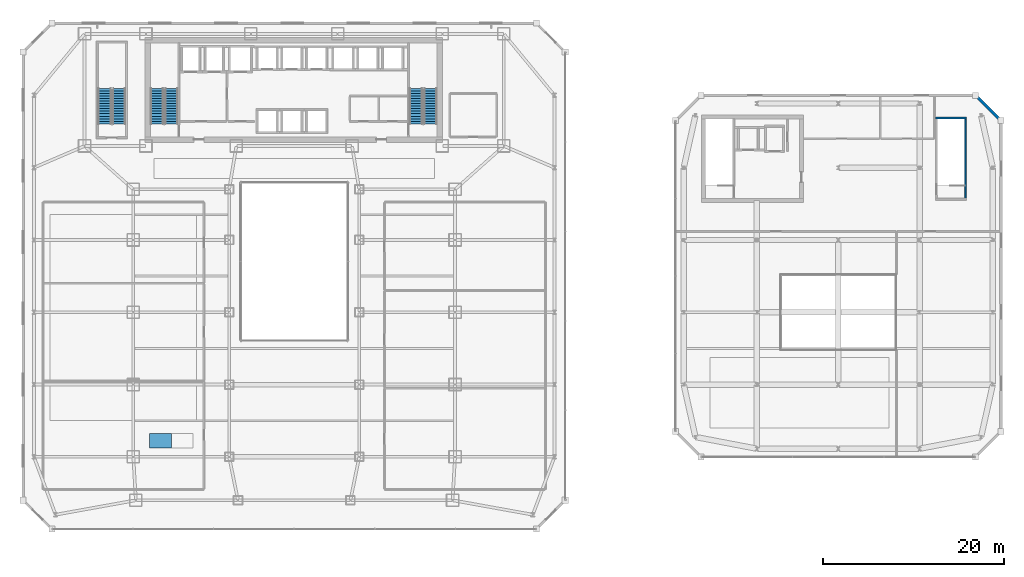
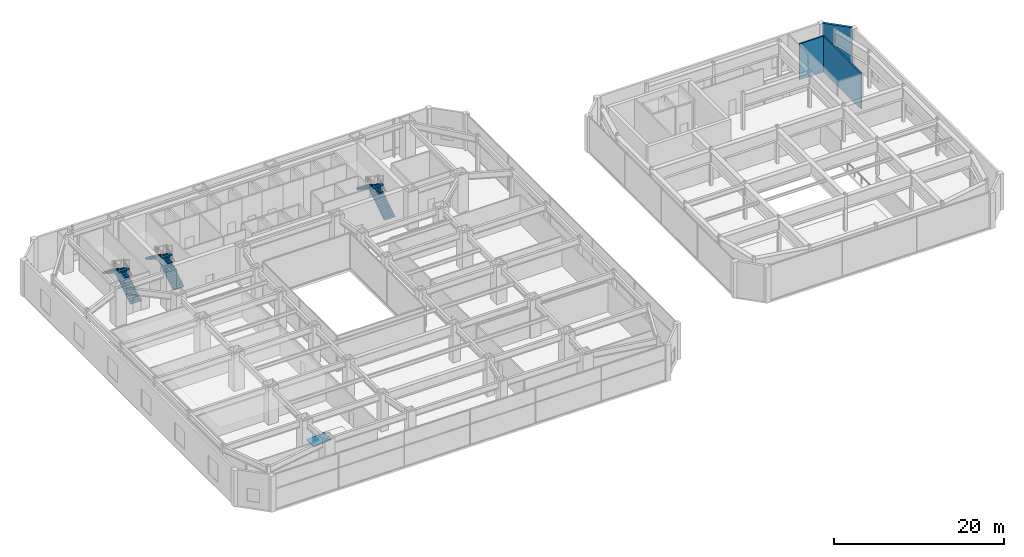
# One storey, part 47 of 53: 6 stair flights, 3 walls, 1 ramp flight, 4 elements without a shape of their own.
"""IFC4 building model written with IfcOpenShell, lengths in metres."""

from ifc_helpers import new_model, si_unit, direction, frame, frame_2d, origin, place, context, subcontext, project, spatial, polyline, rectangle, outline, extrude, material, layer, layer_set, type_object, element, aggregate, save


model = new_model("IFC4")

# Units and contexts
model_context = context("Model", 3, precision=1e-05, world=origin(), true_north=direction((0.0, 1.0)))
body_context = subcontext(model_context, "Body", "Model", "MODEL_VIEW")
ifc_project = project(units=[si_unit("LENGTHUNIT", "METRE"), si_unit("AREAUNIT", "SQUARE_METRE"), si_unit("VOLUMEUNIT", "CUBIC_METRE"), si_unit("PLANEANGLEUNIT", "RADIAN"), si_unit("MASSUNIT", "GRAM", prefix="KILO")], contexts=[model_context])

# Site, building, storey
site_placement = place(None, origin())
site = spatial("IfcSite", under=ifc_project, at=site_placement, CompositionType="ELEMENT")
building_placement = place(site_placement, origin())
building = spatial("IfcBuilding", under=site, at=building_placement, Name="Saevonmaru Cultural Tower", CompositionType="ELEMENT")
storey_placement = place(building_placement, frame((0.0, 0.0, 22.199951171875)))
storey = spatial("IfcBuildingStorey", under=building, at=storey_placement, Name="L04", CompositionType="ELEMENT", Elevation=22.199951171875)

# Walls
ifc_material_1 = material(Name="Warm Limestone Precast Concrete C40/50", Category="masonry")
ifc_layer_1 = layer(ifc_material_1, 0.300048828125, Name="Warm Limestone Precast Concrete C40/50")
ifc_layer_set_1 = layer_set([ifc_layer_1], Name="Warm Limestone Precast Concrete C40/50")
wall_type_1 = type_object("IfcWallType", Name="WL-EXT-LIB-300", PredefinedType="STANDARD", material=ifc_layer_set_1)
wall_1_placement = place(storey_placement, frame((108.0869140625, 45.31298828125, 0.0), z_axis=(0.0, 0.0, 1.0), x_axis=(-0.707073244381, 0.707140316402, 0.0)))
element("IfcWall", 1, at=wall_1_placement, inside=storey, type_object=wall_type_1, Name="L04 Central Library Fluted Stone Wall E5", PredefinedType="STANDARD", context=body_context, shape_type="SweptSolid", body=[
    extrude(rectangle(XDim=3.639892578125, YDim=0.300048828125, at=frame_2d((1.81982421875, 0.0))), origin(), (0.0, 0.0, 1.0), 5.150146484375),
])
ifc_material_2 = material(Name="Concrete C40/50", Category="concrete")
ifc_layer_2 = layer(ifc_material_2, 0.179931640625, Name="Concrete C40/50")
ifc_layer_set_2 = layer_set([ifc_layer_2], Name="Concrete C40/50")
wall_type_2 = type_object("IfcWallType", Name="WL-STSHAFT-180", PredefinedType="SHEAR", material=ifc_layer_set_2)
wall_2_placement = place(storey_placement, frame((104.2900390625, 36.60009765625, 0.0), z_axis=(0.0, 0.0, 1.0), x_axis=(0.0, 1.0, 0.0)))
element("IfcWall", 2, at=wall_2_placement, inside=storey, type_object=wall_type_2, Name="L04 Stair LST-2 Structural Shaft Wall 3", PredefinedType="SHEAR", context=body_context, shape_type="SweptSolid", body=[
    extrude(rectangle(XDim=8.7998046875, YDim=0.179931640625, at=frame_2d((4.39990234375, 0.0))), origin(), (0.0, 0.0, 1.0), 5.150146484375),
])
wall_3_placement = place(storey_placement, frame((104.3798828125, 45.489990234375, 0.0), z_axis=(0.0, 0.0, 1.0), x_axis=(-1.0, 0.0, 0.0)))
element("IfcWall", 3, at=wall_3_placement, inside=storey, type_object=wall_type_2, Name="L04 Stair LST-2 Structural Shaft Wall 4", PredefinedType="SHEAR", context=body_context, shape_type="SweptSolid", body=[
    extrude(rectangle(XDim=3.409912109375, YDim=0.179931640625, at=frame_2d((1.705078125, 0.0))), origin(), (0.0, 0.0, 1.0), 5.150146484375),
])

# Stair, stair flights
stair_type = type_object("IfcStairType", Name="STR-DOGLEG-RC", PredefinedType="HALF_TURN_STAIR", material=ifc_material_2)
stair_1_placement = place(storey_placement, origin())
stair_1 = element("IfcStair", 4, at=stair_1_placement, inside=storey, type_object=stair_type, Name="L04 Protected exit stair ST-1", PredefinedType="HALF_TURN_STAIR")
ifc_material_3 = material(Name="Precast concrete C40/50", Category="concrete")
stair_flight_type = type_object("IfcStairFlightType", Name="STF-PRECAST-180", PredefinedType="STRAIGHT", material=ifc_material_3)
stair_flight_1_placement = place(storey_placement, frame((16.425048828125, 44.85009765625, 0.0), z_axis=(0.0, 0.0, 1.0), x_axis=(0.0, 1.0, 0.0)))
stair_flight_1 = element("IfcStairFlight", 5, at=stair_flight_1_placement, type_object=stair_flight_type, Name="ST-1-L04 flight 1", NumberOfRisers=15, NumberOfTreads=14, PredefinedType="STRAIGHT", RiserHeight=0.18, TreadLength=0.28, context=body_context, shape_type="SweptSolid", body=[
    extrude(outline(polyline([(0.0, 0.0), (0.0, 0.179931640625), (0.280029296875, 0.179931640625), (0.280029296875, 0.360107421875), (0.56005859375, 0.360107421875), (0.56005859375, 0.5400390625), (0.840087890625, 0.5400390625), (0.840087890625, 0.719970703125), (1.1201171875, 0.719970703125), (1.1201171875, 0.89990234375), (1.39990234375, 0.89990234375), (1.39990234375, 1.080078125), (1.679931640625, 1.080078125), (1.679931640625, 1.260009765625), (1.9599609375, 1.260009765625), (1.9599609375, 1.43994140625), (2.239990234375, 1.43994140625), (2.239990234375, 1.6201171875), (2.52001953125, 1.6201171875), (2.52001953125, 1.800048828125), (2.800048828125, 1.800048828125), (2.800048828125, 1.97998046875), (3.080078125, 1.97998046875), (3.080078125, 2.159912109375), (3.360107421875, 2.159912109375), (3.360107421875, 2.340087890625), (3.639892578125, 2.340087890625), (3.639892578125, 2.52001953125), (3.919921875, 2.52001953125), (3.919921875, 2.699951171875), (3.919921875, 2.341796875), (0.277099609375, 0.0), (0.0, 0.0)])), frame((0.0, 0.72509765625, 0.0), z_axis=(0.0, -1.0, 0.0), x_axis=(1.0, 0.0, 0.0)), (0.0, 0.0, 1.0), 1.449951171875),
])
stair_flight_2_placement = place(storey_placement, frame((14.824951171875, 48.77001953125, 2.699951171875), z_axis=(0.0, 0.0, 1.0), x_axis=(0.0, -1.0, 0.0)))
stair_flight_2 = element("IfcStairFlight", 6, at=stair_flight_2_placement, type_object=stair_flight_type, Name="ST-1-L04 flight 2", NumberOfRisers=15, NumberOfTreads=14, PredefinedType="STRAIGHT", RiserHeight=0.18, TreadLength=0.28, context=body_context, shape_type="SweptSolid", body=[
    extrude(outline(polyline([(0.0, 0.0), (0.0, 0.179931640625), (0.280029296875, 0.179931640625), (0.280029296875, 0.360107421875), (0.56005859375, 0.360107421875), (0.56005859375, 0.5400390625), (0.840087890625, 0.5400390625), (0.840087890625, 0.719970703125), (1.1201171875, 0.719970703125), (1.1201171875, 0.89990234375), (1.39990234375, 0.89990234375), (1.39990234375, 1.080078125), (1.679931640625, 1.080078125), (1.679931640625, 1.260009765625), (1.9599609375, 1.260009765625), (1.9599609375, 1.43994140625), (2.239990234375, 1.43994140625), (2.239990234375, 1.6201171875), (2.52001953125, 1.6201171875), (2.52001953125, 1.800048828125), (2.800048828125, 1.800048828125), (2.800048828125, 1.97998046875), (3.080078125, 1.97998046875), (3.080078125, 2.159912109375), (3.360107421875, 2.159912109375), (3.360107421875, 2.340087890625), (3.639892578125, 2.340087890625), (3.639892578125, 2.52001953125), (3.919921875, 2.52001953125), (3.919921875, 2.699951171875), (3.919921875, 2.341796875), (0.277099609375, 0.0), (0.0, 0.0)])), frame((0.0, 0.72509765625, 0.0), z_axis=(0.0, -1.0, 0.0), x_axis=(1.0, 0.0, 0.0)), (0.0, 0.0, 1.0), 1.449951171875),
])
aggregate(stair_1, [stair_flight_1, stair_flight_2])

stair_2_placement = place(storey_placement, origin())
stair_2 = element("IfcStair", 7, at=stair_2_placement, inside=storey, type_object=stair_type, Name="L04 Protected exit stair ST-2", PredefinedType="HALF_TURN_STAIR")
stair_flight_3_placement = place(storey_placement, frame((45.074951171875, 44.85009765625, 0.0), z_axis=(0.0, 0.0, 1.0), x_axis=(0.0, 1.0, 0.0)))
stair_flight_3 = element("IfcStairFlight", 8, at=stair_flight_3_placement, type_object=stair_flight_type, Name="ST-2-L04 flight 1", NumberOfRisers=15, NumberOfTreads=14, PredefinedType="STRAIGHT", RiserHeight=0.18, TreadLength=0.28, context=body_context, shape_type="SweptSolid", body=[
    extrude(outline(polyline([(0.0, 0.0), (0.0, 0.179931640625), (0.280029296875, 0.179931640625), (0.280029296875, 0.360107421875), (0.56005859375, 0.360107421875), (0.56005859375, 0.5400390625), (0.840087890625, 0.5400390625), (0.840087890625, 0.719970703125), (1.1201171875, 0.719970703125), (1.1201171875, 0.89990234375), (1.39990234375, 0.89990234375), (1.39990234375, 1.080078125), (1.679931640625, 1.080078125), (1.679931640625, 1.260009765625), (1.9599609375, 1.260009765625), (1.9599609375, 1.43994140625), (2.239990234375, 1.43994140625), (2.239990234375, 1.6201171875), (2.52001953125, 1.6201171875), (2.52001953125, 1.800048828125), (2.800048828125, 1.800048828125), (2.800048828125, 1.97998046875), (3.080078125, 1.97998046875), (3.080078125, 2.159912109375), (3.360107421875, 2.159912109375), (3.360107421875, 2.340087890625), (3.639892578125, 2.340087890625), (3.639892578125, 2.52001953125), (3.919921875, 2.52001953125), (3.919921875, 2.699951171875), (3.919921875, 2.341796875), (0.277099609375, 0.0), (0.0, 0.0)])), frame((0.0, 0.72509765625, 0.0), z_axis=(0.0, -1.0, 0.0), x_axis=(1.0, 0.0, 0.0)), (0.0, 0.0, 1.0), 1.449951171875),
])
stair_flight_4_placement = place(storey_placement, frame((43.47509765625, 48.77001953125, 2.699951171875), z_axis=(0.0, 0.0, 1.0), x_axis=(0.0, -1.0, 0.0)))
stair_flight_4 = element("IfcStairFlight", 9, at=stair_flight_4_placement, type_object=stair_flight_type, Name="ST-2-L04 flight 2", NumberOfRisers=15, NumberOfTreads=14, PredefinedType="STRAIGHT", RiserHeight=0.18, TreadLength=0.28, context=body_context, shape_type="SweptSolid", body=[
    extrude(outline(polyline([(0.0, 0.0), (0.0, 0.179931640625), (0.280029296875, 0.179931640625), (0.280029296875, 0.360107421875), (0.56005859375, 0.360107421875), (0.56005859375, 0.5400390625), (0.840087890625, 0.5400390625), (0.840087890625, 0.719970703125), (1.1201171875, 0.719970703125), (1.1201171875, 0.89990234375), (1.39990234375, 0.89990234375), (1.39990234375, 1.080078125), (1.679931640625, 1.080078125), (1.679931640625, 1.260009765625), (1.9599609375, 1.260009765625), (1.9599609375, 1.43994140625), (2.239990234375, 1.43994140625), (2.239990234375, 1.6201171875), (2.52001953125, 1.6201171875), (2.52001953125, 1.800048828125), (2.800048828125, 1.800048828125), (2.800048828125, 1.97998046875), (3.080078125, 1.97998046875), (3.080078125, 2.159912109375), (3.360107421875, 2.159912109375), (3.360107421875, 2.340087890625), (3.639892578125, 2.340087890625), (3.639892578125, 2.52001953125), (3.919921875, 2.52001953125), (3.919921875, 2.699951171875), (3.919921875, 2.341796875), (0.277099609375, 0.0), (0.0, 0.0)])), frame((0.0, 0.72509765625, 0.0), z_axis=(0.0, -1.0, 0.0), x_axis=(1.0, 0.0, 0.0)), (0.0, 0.0, 1.0), 1.449951171875),
])
aggregate(stair_2, [stair_flight_3, stair_flight_4])

stair_3_placement = place(storey_placement, origin())
stair_3 = element("IfcStair", 10, at=stair_3_placement, inside=storey, type_object=stair_type, Name="L04 Protected exit stair ST-3", PredefinedType="HALF_TURN_STAIR")
stair_flight_5_placement = place(storey_placement, frame((10.625, 44.85009765625, 0.0), z_axis=(0.0, 0.0, 1.0), x_axis=(0.0, 1.0, 0.0)))
stair_flight_5 = element("IfcStairFlight", 11, at=stair_flight_5_placement, type_object=stair_flight_type, Name="ST-3-L04 flight 1", NumberOfRisers=15, NumberOfTreads=14, PredefinedType="STRAIGHT", RiserHeight=0.18, TreadLength=0.28, context=body_context, shape_type="SweptSolid", body=[
    extrude(outline(polyline([(0.0, 0.0), (0.0, 0.179931640625), (0.280029296875, 0.179931640625), (0.280029296875, 0.360107421875), (0.56005859375, 0.360107421875), (0.56005859375, 0.5400390625), (0.840087890625, 0.5400390625), (0.840087890625, 0.719970703125), (1.1201171875, 0.719970703125), (1.1201171875, 0.89990234375), (1.39990234375, 0.89990234375), (1.39990234375, 1.080078125), (1.679931640625, 1.080078125), (1.679931640625, 1.260009765625), (1.9599609375, 1.260009765625), (1.9599609375, 1.43994140625), (2.239990234375, 1.43994140625), (2.239990234375, 1.6201171875), (2.52001953125, 1.6201171875), (2.52001953125, 1.800048828125), (2.800048828125, 1.800048828125), (2.800048828125, 1.97998046875), (3.080078125, 1.97998046875), (3.080078125, 2.159912109375), (3.360107421875, 2.159912109375), (3.360107421875, 2.340087890625), (3.639892578125, 2.340087890625), (3.639892578125, 2.52001953125), (3.919921875, 2.52001953125), (3.919921875, 2.699951171875), (3.919921875, 2.341796875), (0.277099609375, 0.0), (0.0, 0.0)])), frame((0.0, 0.72509765625, 0.0), z_axis=(0.0, -1.0, 0.0), x_axis=(1.0, 0.0, 0.0)), (0.0, 0.0, 1.0), 1.449951171875),
])
stair_flight_6_placement = place(storey_placement, frame((9.02490234375, 48.77001953125, 2.699951171875), z_axis=(0.0, 0.0, 1.0), x_axis=(0.0, -1.0, 0.0)))
stair_flight_6 = element("IfcStairFlight", 12, at=stair_flight_6_placement, type_object=stair_flight_type, Name="ST-3-L04 flight 2", NumberOfRisers=15, NumberOfTreads=14, PredefinedType="STRAIGHT", RiserHeight=0.18, TreadLength=0.28, context=body_context, shape_type="SweptSolid", body=[
    extrude(outline(polyline([(0.0, 0.0), (0.0, 0.179931640625), (0.280029296875, 0.179931640625), (0.280029296875, 0.360107421875), (0.56005859375, 0.360107421875), (0.56005859375, 0.5400390625), (0.840087890625, 0.5400390625), (0.840087890625, 0.719970703125), (1.1201171875, 0.719970703125), (1.1201171875, 0.89990234375), (1.39990234375, 0.89990234375), (1.39990234375, 1.080078125), (1.679931640625, 1.080078125), (1.679931640625, 1.260009765625), (1.9599609375, 1.260009765625), (1.9599609375, 1.43994140625), (2.239990234375, 1.43994140625), (2.239990234375, 1.6201171875), (2.52001953125, 1.6201171875), (2.52001953125, 1.800048828125), (2.800048828125, 1.800048828125), (2.800048828125, 1.97998046875), (3.080078125, 1.97998046875), (3.080078125, 2.159912109375), (3.360107421875, 2.159912109375), (3.360107421875, 2.340087890625), (3.639892578125, 2.340087890625), (3.639892578125, 2.52001953125), (3.919921875, 2.52001953125), (3.919921875, 2.699951171875), (3.919921875, 2.341796875), (0.277099609375, 0.0), (0.0, 0.0)])), frame((0.0, 0.72509765625, 0.0), z_axis=(0.0, -1.0, 0.0), x_axis=(1.0, 0.0, 0.0)), (0.0, 0.0, 1.0), 1.449951171875),
])
aggregate(stair_3, [stair_flight_5, stair_flight_6])

# Ramp, ramp flight
ramp_type = type_object("IfcRampType", Name="RMP-PED-1600", PredefinedType="STRAIGHT_RUN_RAMP", material=ifc_material_2)
ramp_placement = place(storey_placement, origin())
ramp = element("IfcRamp", 13, at=ramp_placement, inside=storey, type_object=ramp_type, Name="L04 Barrier-Free Gallery Dais Ramp PR-4", PredefinedType="STRAIGHT_RUN_RAMP")
ifc_layer_3 = layer(ifc_material_2, 0.199951171875, Name="Concrete C40/50")
ifc_layer_set_3 = layer_set([ifc_layer_3], Name="Concrete C40/50")
ramp_flight_type = type_object("IfcRampFlightType", Name="RFL-PED-200", PredefinedType="STRAIGHT", material=ifc_layer_set_3)
ramp_flight_placement = place(storey_placement, frame((14.0, 9.0, 0.0), z_axis=(-0.083028700011, 0.0, 0.996547156423), x_axis=(0.996547156423, 0.0, 0.083028700011)))
ramp_flight = element("IfcRampFlight", 14, at=ramp_flight_placement, type_object=ramp_flight_type, Name="L04 Barrier-Free Gallery Dais Ramp Flight PR-4", PredefinedType="STRAIGHT", context=body_context, shape_type="SweptSolid", body=[
    extrude(outline(polyline([(0.0, 0.0), (2.408217542223071, 0.0), (2.408217542223071, 1.60009765625), (0.0, 1.60009765625), (0.0, 0.0)])), origin(), (0.0, 0.0, -1.0), 0.199951171875),
])
aggregate(ramp, [ramp_flight])

save(model, "model.ifc")
